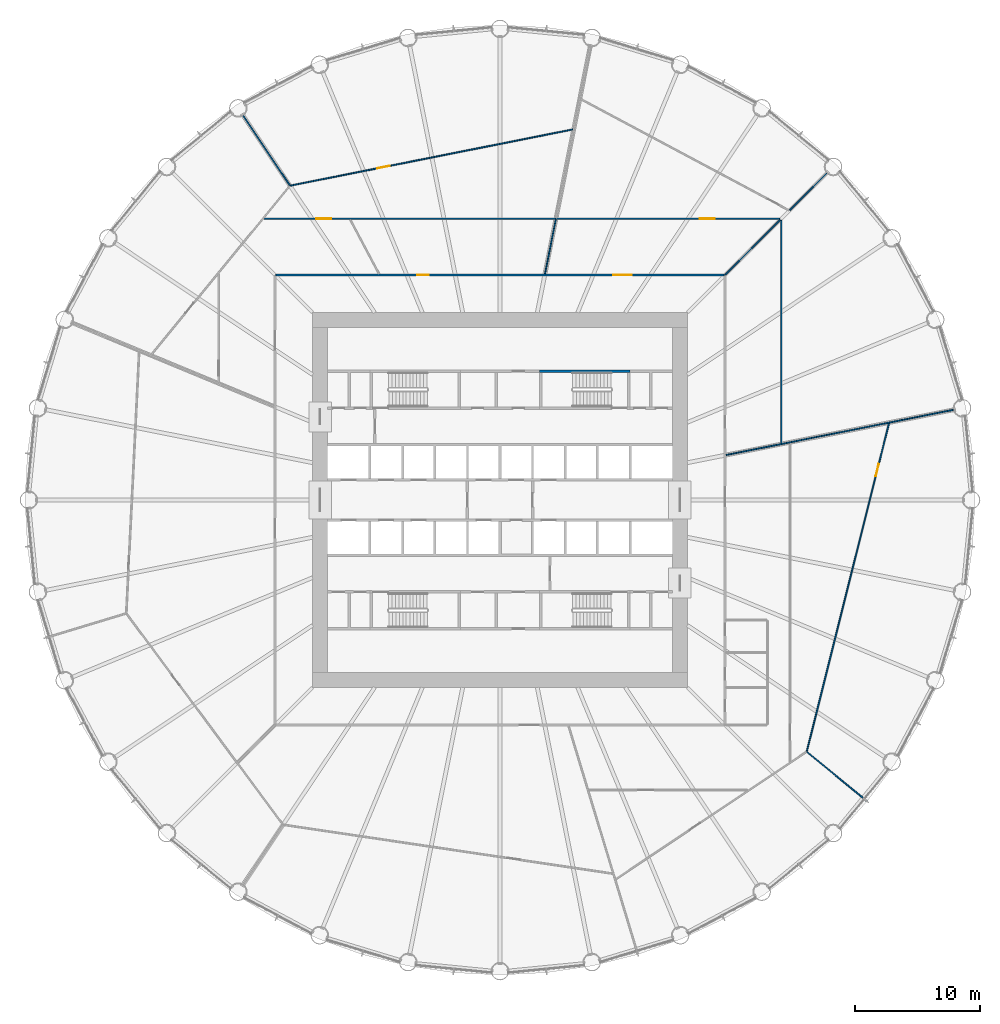
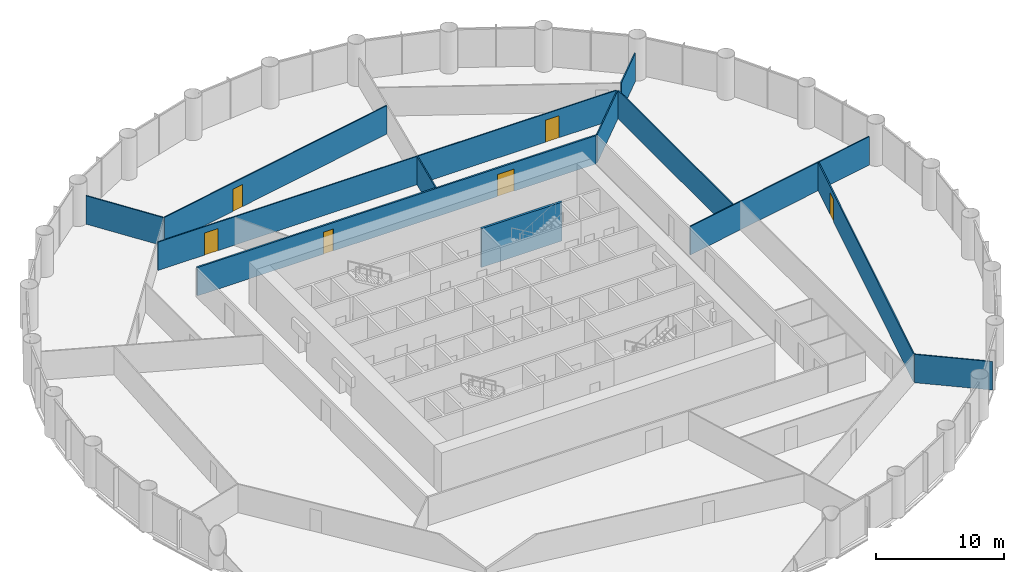
# One storey, part 13 of 15: 12 walls, 6 doors, 6 openings.
"""IFC4 building model written with IfcOpenShell, lengths in metres."""

from ifc_helpers import new_model, si_unit, direction, frame, frame_2d, origin, place, context, subcontext, project, spatial, polyline, rectangle, outline, extrude, material, layer, layer_set, type_object, element, fill, save


model = new_model("IFC4")

# Units and contexts
model_context = context("Model", 3, precision=1e-05, world=origin(), true_north=direction((0.0, 1.0)))
body_context = subcontext(model_context, "Body", "Model", "MODEL_VIEW")
ifc_project = project(units=[si_unit("LENGTHUNIT", "METRE"), si_unit("AREAUNIT", "SQUARE_METRE"), si_unit("VOLUMEUNIT", "CUBIC_METRE"), si_unit("PLANEANGLEUNIT", "RADIAN"), si_unit("MASSUNIT", "GRAM", prefix="KILO")], contexts=[model_context])

# Site, building, storey
site_placement = place(None, origin())
site = spatial("IfcSite", under=ifc_project, at=site_placement, CompositionType="ELEMENT")
building_placement = place(site_placement, origin())
building = spatial("IfcBuilding", under=site, at=building_placement, Name="Corvane Civic Tower", CompositionType="ELEMENT")
storey_placement = place(building_placement, frame((0.0, 0.0, 73.0)))
storey = spatial("IfcBuildingStorey", under=building, at=storey_placement, Name="L16", CompositionType="ELEMENT", Elevation=73.0)

# Wall
ifc_material_1 = material(Name="Plasterboard")
ifc_layer_1 = layer(ifc_material_1, 0.10009765625)
ifc_layer_set_1 = layer_set([ifc_layer_1], Name="Plasterboard")
wall_type_1 = type_object("IfcWallType", Name="Partition 100 plasterboard on studs", PredefinedType="PARTITIONING", material=ifc_layer_set_1)
wall_1_placement = place(storey_placement, frame((24.566162109375, -20.160888671875, 0.0), z_axis=(0.0, 0.0, 1.0), x_axis=(0.773022125088, -0.634379061859, 0.0)))
element("IfcWall", 1, at=wall_1_placement, inside=storey, type_object=wall_type_1, Name="Partition L16.006", PredefinedType="PARTITIONING", context=body_context, shape_type="SweptSolid", body=[
    extrude(rectangle(XDim=6.17041015625, YDim=0.10009765625, at=frame_2d((3.085205078125, 0.0))), origin(), (0.0, 0.0, 1.0), 2.699951171875),
])

# Wall, opening, door
wall_2_placement = place(storey_placement, frame((24.545166015625, -20.106689453125, 0.0), z_axis=(0.0, 0.0, 1.0), x_axis=(0.242983970793, 0.970030303618, 0.0)))
wall_2 = element("IfcWall", 2, at=wall_2_placement, inside=storey, type_object=wall_type_1, Name="Partition L16.010", PredefinedType="PARTITIONING", context=body_context, shape_type="SweptSolid", body=[
    extrude(rectangle(XDim=27.032958984375, YDim=0.10009765625, at=frame_2d((13.5166015625, 0.0))), origin(), (0.0, 0.0, 1.0), 2.699951171875),
])
opening_1_placement = place(wall_2_placement, frame((22.695556640625, 0.0, 0.0)))
opening_1 = element("IfcOpeningElement", 3, at=opening_1_placement, cuts=wall_2, Name="Opening L16.011", PredefinedType="OPENING", context=body_context, shape_type="SweptSolid", body=[
    extrude(rectangle(XDim=1.0, YDim=2.10009765625, at=frame_2d((0.5, 1.050048828125))), frame((0.0, 0.06005859375, 0.0), z_axis=(0.0, -1.0, 0.0), x_axis=(1.0, 0.0, 0.0)), (0.0, 0.0, 1.0), 0.1201171875),
])
ifc_material_2 = material(Name="Timber", Category="wood")
door_type_1 = type_object("IfcDoorType", Name="Single door 1000", OperationType="NOTDEFINED", PredefinedType="DOOR", material=ifc_material_2)
door_1_placement = place(opening_1_placement, frame((1.0, 0.0, 0.0), z_axis=(0.0, 0.0, 1.0), x_axis=(-1.0, 0.0, 0.0)))
door_1 = element("IfcDoor", 4, at=door_1_placement, inside=storey, type_object=door_type_1, Name="Door L16.011", OperationType="SINGLE_SWING_LEFT", OverallHeight=2.10009765625, OverallWidth=1.0, PredefinedType="DOOR", context=body_context, shape_type="SweptSolid", body=[
    extrude(rectangle(XDim=1.0, YDim=2.10009765625, at=frame_2d((0.5, 1.050048828125))), frame((0.0, 0.02490234375, 0.0), z_axis=(0.0, -1.0, 0.0), x_axis=(1.0, 0.0, 0.0)), (0.0, 0.0, 1.0), 0.050048828125),
])
fill(opening_1, door_1)

# Walls
wall_3_placement = place(storey_placement, frame((18.084716796875, 3.597412109375, 0.0), z_axis=(0.0, 0.0, 1.0), x_axis=(0.980787657921, 0.195078369049, 0.0)))
element("IfcWall", 5, at=wall_3_placement, inside=storey, type_object=wall_type_1, Name="Partition L16.021", PredefinedType="PARTITIONING", context=body_context, shape_type="SweptSolid", body=[
    extrude(rectangle(XDim=18.551025390625, YDim=0.10009765625, at=frame_2d((9.275390625, 0.0))), origin(), (0.0, 0.0, 1.0), 2.699951171875),
])
wall_4_placement = place(storey_placement, frame((22.5, 4.53662109375, 0.0), z_axis=(0.0, 0.0, 1.0), x_axis=(0.0, 1.0, 0.0)))
element("IfcWall", 6, at=wall_4_placement, inside=storey, type_object=wall_type_1, Name="Partition L16.022", PredefinedType="PARTITIONING", context=body_context, shape_type="SweptSolid", body=[
    extrude(rectangle(XDim=17.8427734375, YDim=0.10009765625, at=frame_2d((8.92138671875, 0.0))), origin(), (0.0, 0.0, 1.0), 2.699951171875),
])
wall_5_placement = place(storey_placement, frame((18.0146484375, 18.0146484375, 0.0), z_axis=(0.0, 0.0, 1.0), x_axis=(0.707106781187, 0.707106781187, 0.0)))
element("IfcWall", 7, at=wall_5_placement, inside=storey, type_object=wall_type_1, Name="Partition L16.027", PredefinedType="PARTITIONING", context=body_context, shape_type="SweptSolid", body=[
    extrude(rectangle(XDim=6.222412109375, YDim=0.10009765625, at=frame_2d((3.111328125, 0.0))), origin(), (0.0, 0.0, 1.0), 2.699951171875),
])
wall_6_placement = place(storey_placement, frame((3.597412109375, 18.084716796875, 0.0), z_axis=(0.0, 0.0, 1.0), x_axis=(0.195061135357, 0.980791085539, 0.0)))
element("IfcWall", 8, at=wall_6_placement, inside=storey, type_object=wall_type_1, Name="Partition L16.028", PredefinedType="PARTITIONING", context=body_context, shape_type="SweptSolid", body=[
    extrude(rectangle(XDim=4.45068359375, YDim=0.10009765625, at=frame_2d((2.225341796875, 0.0))), origin(), (0.0, 0.0, 1.0), 2.699951171875),
])

# Wall, openings, doors
wall_7_placement = place(storey_placement, frame((-18.865478515625, 22.5, 0.0), z_axis=(0.0, 0.0, 1.0), x_axis=(1.0, 0.0, 0.0)))
wall_7 = element("IfcWall", 9, at=wall_7_placement, inside=storey, type_object=wall_type_1, Name="Partition L16.030", PredefinedType="PARTITIONING", context=body_context, shape_type="SweptSolid", body=[
    extrude(rectangle(XDim=41.244873046875, YDim=0.10009765625, at=frame_2d((20.62255859375, 0.0))), origin(), (0.0, 0.0, 1.0), 2.699951171875),
])
opening_2_placement = place(wall_7_placement, frame((4.181396484375, 0.0, 0.0)))
opening_2 = element("IfcOpeningElement", 10, at=opening_2_placement, cuts=wall_7, Name="Opening L16.004", PredefinedType="OPENING", context=body_context, shape_type="SweptSolid", body=[
    extrude(rectangle(XDim=1.199951171875, YDim=2.10009765625, at=frame_2d((0.60009765625, 1.050048828125))), frame((0.0, 0.06005859375, 0.0), z_axis=(0.0, -1.0, 0.0), x_axis=(1.0, 0.0, 0.0)), (0.0, 0.0, 1.0), 0.1201171875),
])
opening_3_placement = place(wall_7_placement, frame((34.85205078125, 0.0, 0.0)))
opening_3 = element("IfcOpeningElement", 11, at=opening_3_placement, cuts=wall_7, Name="Opening L16.008", PredefinedType="OPENING", context=body_context, shape_type="SweptSolid", body=[
    extrude(rectangle(XDim=1.199951171875, YDim=2.10009765625, at=frame_2d((0.60009765625, 1.050048828125))), frame((0.0, 0.06005859375, 0.0), z_axis=(0.0, -1.0, 0.0), x_axis=(1.0, 0.0, 0.0)), (0.0, 0.0, 1.0), 0.1201171875),
])
ifc_material_3 = material(Name="Timber", Category="wood")
door_type_2 = type_object("IfcDoorType", Name="Double door 1200", OperationType="NOTDEFINED", PredefinedType="DOOR", material=ifc_material_3)
door_2_placement = place(opening_2_placement, origin())
door_2 = element("IfcDoor", 12, at=door_2_placement, inside=storey, type_object=door_type_2, Name="Door L16.004", OperationType="DOUBLE_DOOR_SINGLE_SWING", OverallHeight=2.10009765625, OverallWidth=1.199951171875, PredefinedType="DOOR", context=body_context, shape_type="SweptSolid", body=[
    extrude(rectangle(XDim=1.199951171875, YDim=2.10009765625, at=frame_2d((0.60009765625, 1.050048828125))), frame((0.0, 0.02490234375, 0.0), z_axis=(0.0, -1.0, 0.0), x_axis=(1.0, 0.0, 0.0)), (0.0, 0.0, 1.0), 0.050048828125),
])
fill(opening_2, door_2)
door_3_placement = place(opening_3_placement, origin())
door_3 = element("IfcDoor", 13, at=door_3_placement, inside=storey, type_object=door_type_2, Name="Door L16.008", OperationType="DOUBLE_DOOR_SINGLE_SWING", OverallHeight=2.10009765625, OverallWidth=1.199951171875, PredefinedType="DOOR", context=body_context, shape_type="SweptSolid", body=[
    extrude(rectangle(XDim=1.199951171875, YDim=2.10009765625, at=frame_2d((0.60009765625, 1.050048828125))), frame((0.0, 0.02490234375, 0.0), z_axis=(0.0, -1.0, 0.0), x_axis=(1.0, 0.0, 0.0)), (0.0, 0.0, 1.0), 0.050048828125),
])
fill(opening_3, door_3)

# Wall
wall_8_placement = place(storey_placement, frame((23.1796875, 23.1796875, 0.0), z_axis=(0.0, 0.0, 1.0), x_axis=(0.707106781187, 0.707106781187, 0.0)))
element("IfcWall", 14, at=wall_8_placement, inside=storey, type_object=wall_type_1, Name="Partition L16.033", PredefinedType="PARTITIONING", context=body_context, shape_type="SweptSolid", body=[
    extrude(rectangle(XDim=4.209228515625, YDim=0.10009765625, at=frame_2d((2.1044921875, 0.0))), origin(), (0.0, 0.0, 1.0), 2.699951171875),
])

# Wall, opening, door
wall_9_placement = place(storey_placement, frame((-16.768310546875, 25.15087890625, 0.0), z_axis=(0.0, 0.0, 1.0), x_axis=(0.980785162339, 0.195090915563, 0.0)))
wall_9 = element("IfcWall", 15, at=wall_9_placement, inside=storey, type_object=wall_type_1, Name="Partition L16.034", PredefinedType="PARTITIONING", context=body_context, shape_type="SweptSolid", body=[
    extrude(rectangle(XDim=23.037353515625, YDim=0.10009765625, at=frame_2d((11.5185546875, 0.0))), origin(), (0.0, 0.0, 1.0), 2.699951171875),
])
opening_4_placement = place(wall_9_placement, frame((7.096435546875, 0.0, 0.0)))
opening_4 = element("IfcOpeningElement", 16, at=opening_4_placement, cuts=wall_9, Name="Opening L16.002", PredefinedType="OPENING", context=body_context, shape_type="SweptSolid", body=[
    extrude(rectangle(XDim=1.0, YDim=2.10009765625, at=frame_2d((0.5, 1.050048828125))), frame((0.0, 0.06005859375, 0.0), z_axis=(0.0, -1.0, 0.0), x_axis=(1.0, 0.0, 0.0)), (0.0, 0.0, 1.0), 0.1201171875),
])
door_4_placement = place(opening_4_placement, origin())
door_4 = element("IfcDoor", 17, at=door_4_placement, inside=storey, type_object=door_type_1, Name="Door L16.002", OperationType="SINGLE_SWING_LEFT", OverallHeight=2.10009765625, OverallWidth=1.0, PredefinedType="DOOR", context=body_context, shape_type="SweptSolid", body=[
    extrude(rectangle(XDim=1.0, YDim=2.10009765625, at=frame_2d((0.5, 1.050048828125))), frame((0.0, 0.02490234375, 0.0), z_axis=(0.0, -1.0, 0.0), x_axis=(1.0, 0.0, 0.0)), (0.0, 0.0, 1.0), 0.050048828125),
])
fill(opening_4, door_4)

# Walls
wall_10_placement = place(storey_placement, frame((-20.550537109375, 30.756103515625, 0.0), z_axis=(0.0, 0.0, 1.0), x_axis=(0.555572861244, -0.831467856173, 0.0)))
element("IfcWall", 18, at=wall_10_placement, inside=storey, type_object=wall_type_1, Name="Partition L16.035", PredefinedType="PARTITIONING", context=body_context, shape_type="SweptSolid", body=[
    extrude(rectangle(XDim=6.7119140625, YDim=0.10009765625, at=frame_2d((3.35595703125, 0.0))), origin(), (0.0, 0.0, 1.0), 2.699951171875),
])
ifc_material_4 = material(Name="Concrete C50/60", Category="concrete")
ifc_layer_2 = layer(ifc_material_4, 0.199951171875)
ifc_layer_set_2 = layer_set([ifc_layer_2], Name="Concrete C50/60")
wall_type_2 = type_object("IfcWallType", Name="ST-WALL-200", PredefinedType="SHEAR", material=ifc_layer_set_2)
wall_11_placement = place(storey_placement, origin())
element("IfcWall", 19, at=wall_11_placement, inside=storey, type_object=wall_type_2, Name="L16 stair enclosure wall", PredefinedType="SHEAR", context=body_context, shape_type="SweptSolid", body=[
    extrude(outline(polyline([(10.39990234375, 10.199951171875), (3.14990234375, 10.199951171875), (3.14990234375, 10.39990234375), (10.39990234375, 10.39990234375), (10.39990234375, 10.199951171875)])), origin(), (0.0, 0.0, 1.0), 3.699951171875),
])

# Wall, openings, doors
ifc_material_5 = material(Name="Plasterboard")
ifc_layer_3 = layer(ifc_material_5, 0.14990234375)
ifc_layer_set_3 = layer_set([ifc_layer_3], Name="Plasterboard")
wall_type_3 = type_object("IfcWallType", Name="Tenancy wall 150 EI 60", PredefinedType="PARTITIONING", material=ifc_layer_set_3)
wall_12_placement = place(storey_placement, frame((-17.925048828125, 18.0, 0.0), z_axis=(0.0, 0.0, 1.0), x_axis=(1.0, 0.0, 0.0)))
wall_12 = element("IfcWall", 20, at=wall_12_placement, inside=storey, type_object=wall_type_3, Name="Partition L16.026", PredefinedType="PARTITIONING", context=body_context, shape_type="SweptSolid", body=[
    extrude(rectangle(XDim=35.85009765625, YDim=0.14990234375, at=frame_2d((17.925048828125, 0.0))), origin(), (0.0, 0.0, 1.0), 2.699951171875),
])
opening_5_placement = place(wall_12_placement, frame((11.323974609375, 0.0, 0.0)))
opening_5 = element("IfcOpeningElement", 21, at=opening_5_placement, cuts=wall_12, Name="Opening L16.006", PredefinedType="OPENING", context=body_context, shape_type="SweptSolid", body=[
    extrude(rectangle(XDim=0.89990234375, YDim=2.10009765625, at=frame_2d((0.449951171875, 1.050048828125))), frame((0.0, 0.0849609375, 0.0), z_axis=(0.0, -1.0, 0.0), x_axis=(1.0, 0.0, 0.0)), (0.0, 0.0, 1.0), 0.169921875),
])
opening_6_placement = place(wall_12_placement, frame((26.973876953125, 0.0, 0.0)))
opening_6 = element("IfcOpeningElement", 22, at=opening_6_placement, cuts=wall_12, Name="Opening L16.009", PredefinedType="OPENING", context=body_context, shape_type="SweptSolid", body=[
    extrude(rectangle(XDim=1.5, YDim=2.10009765625, at=frame_2d((0.75, 1.050048828125))), frame((0.0, 0.0849609375, 0.0), z_axis=(0.0, -1.0, 0.0), x_axis=(1.0, 0.0, 0.0)), (0.0, 0.0, 1.0), 0.169921875),
])
ifc_material_6 = material(Name="Steel and timber", Category="steel")
door_type_3 = type_object("IfcDoorType", Name="Fire door FD30S 900", OperationType="NOTDEFINED", PredefinedType="DOOR", material=ifc_material_6)
door_5_placement = place(opening_5_placement, origin())
door_5 = element("IfcDoor", 23, at=door_5_placement, inside=storey, type_object=door_type_3, Name="Door L16.006", OperationType="SINGLE_SWING_LEFT", OverallHeight=2.10009765625, OverallWidth=0.89990234375, PredefinedType="DOOR", context=body_context, shape_type="SweptSolid", body=[
    extrude(rectangle(XDim=0.89990234375, YDim=2.10009765625, at=frame_2d((0.449951171875, 1.050048828125))), frame((0.0, 0.02490234375, 0.0), z_axis=(0.0, -1.0, 0.0), x_axis=(1.0, 0.0, 0.0)), (0.0, 0.0, 1.0), 0.050048828125),
])
fill(opening_5, door_5)
ifc_material_7 = material(Name="Steel and timber", Category="steel")
door_type_4 = type_object("IfcDoorType", Name="Fire door FD60 double 1500", OperationType="NOTDEFINED", PredefinedType="DOOR", material=ifc_material_7)
door_6_placement = place(opening_6_placement, origin())
door_6 = element("IfcDoor", 24, at=door_6_placement, inside=storey, type_object=door_type_4, Name="Door L16.009", OperationType="DOUBLE_DOOR_SINGLE_SWING", OverallHeight=2.10009765625, OverallWidth=1.5, PredefinedType="DOOR", context=body_context, shape_type="SweptSolid", body=[
    extrude(rectangle(XDim=1.5, YDim=2.10009765625, at=frame_2d((0.75, 1.050048828125))), frame((0.0, 0.02490234375, 0.0), z_axis=(0.0, -1.0, 0.0), x_axis=(1.0, 0.0, 0.0)), (0.0, 0.0, 1.0), 0.050048828125),
])
fill(opening_6, door_6)

save(model, "model.ifc")
